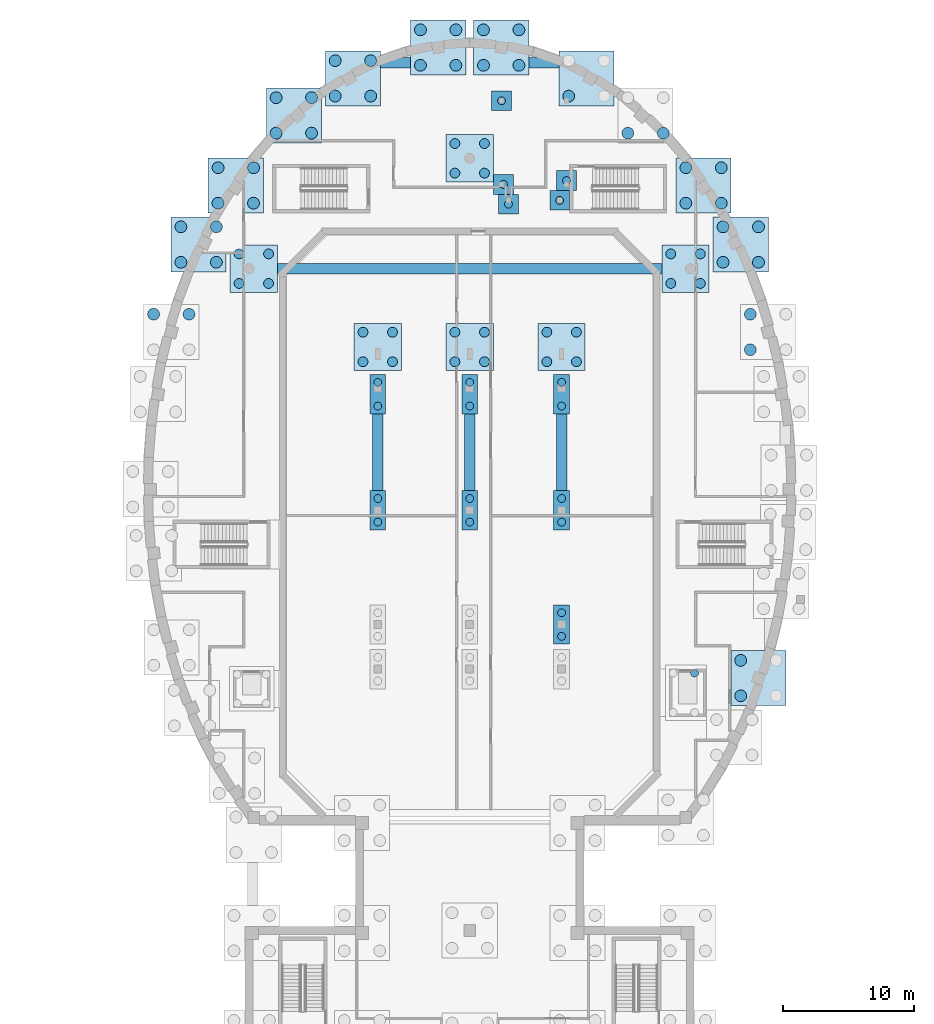
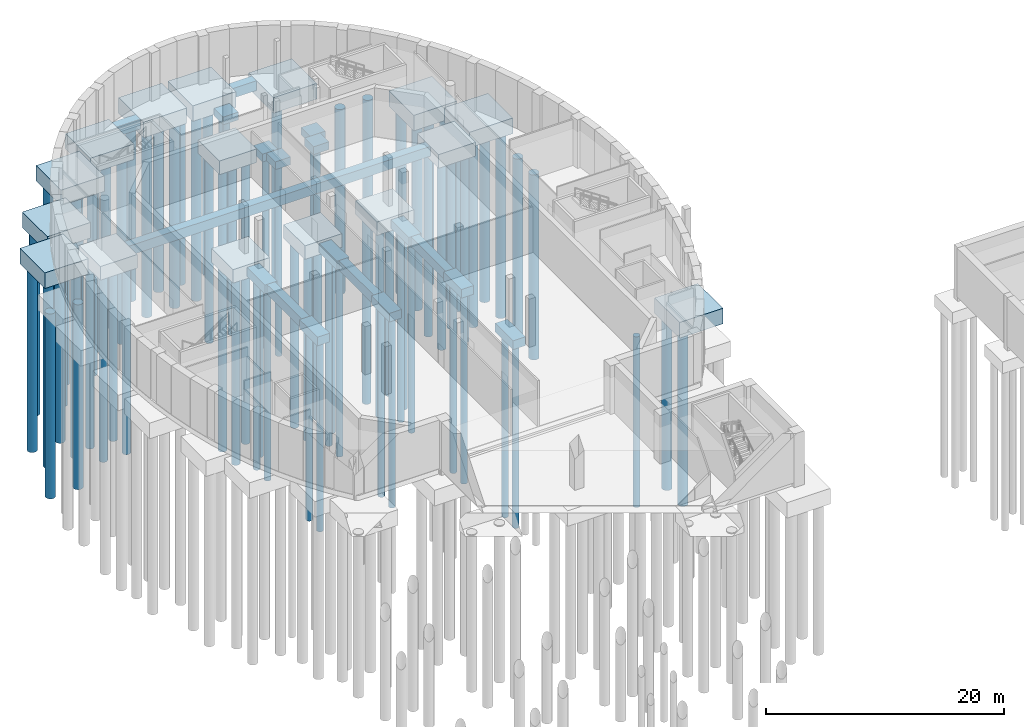
# One storey, part 5 of 33: 85 piles, 34 footings.
"""IFC4 building model written with IfcOpenShell, lengths in metres."""

import ifcopenshell
import ifcopenshell.guid

model = None  # the IFC model being written
_history = None  # IfcOwnerHistory: only IFC2X3 demands one
_inside = {}  # id of a spatial element -> (the spatial element, [elements in it])
_under = {}  # id of a project, library or spatial element -> (it, [spatial elements below it])
_declared = {}  # id of a project -> (the project, [libraries it declares])
_typed = {}  # id of a type object -> (the type object, [elements of that type])
_made_of = {}  # id of a material, layer set ... -> (it, [elements and type objects made of it])


def new_model(schema):
    """Start an empty IFC model of exactly this schema.

    Asked for "IFC4X3", IfcOpenShell would pick the latest addendum, in which some entities
    have other attributes; the version numbers below select the first issue.
    IFC2X3 requires an IfcOwnerHistory on every rooted entity: one is made here for all.
    """
    global model, _history
    if schema == "IFC4X3":
        model = ifcopenshell.file(schema_version=(4, 3, 0, 0))
    else:
        model = ifcopenshell.file(schema=schema)
    _inside.clear()
    _under.clear()
    _declared.clear()
    _typed.clear()
    _made_of.clear()
    _history = None
    if model.schema == "IFC2X3":
        org = make("IfcOrganization", Name="unknown")
        user = make(
            "IfcPersonAndOrganization",
            ThePerson=make("IfcPerson", FamilyName="unknown"),
            TheOrganization=org,
        )
        app = make(
            "IfcApplication",
            ApplicationDeveloper=org,
            Version="unknown",
            ApplicationFullName="unknown",
            ApplicationIdentifier="unknown",
        )
        _history = make(
            "IfcOwnerHistory",
            OwningUser=user,
            OwningApplication=app,
            ChangeAction="ADDED",
            CreationDate=0,
        )
    return model


def make(cls, **values):
    """One entity of the class cls with the attributes given. An attribute that is None is left unset."""
    return model.create_entity(
        cls, **{name: value for name, value in values.items() if value is not None}
    )


def rooted(cls, **values):
    """An entity with a GlobalId (a new one), such as an element, a storey or a relation."""
    return make(cls, GlobalId=ifcopenshell.guid.new(), OwnerHistory=_history, **values)


def si_unit(unit_type, name, prefix=None):
    """IfcSIUnit, for example si_unit("LENGTHUNIT", "METRE", prefix="MILLI")."""
    return make("IfcSIUnit", UnitType=unit_type, Prefix=prefix, Name=name)


def assignment(units):
    """IfcUnitAssignment: the units of a project."""
    return None if units is None else make("IfcUnitAssignment", Units=units)


def point(xyz):
    """IfcCartesianPoint."""
    return None if xyz is None else make("IfcCartesianPoint", Coordinates=xyz)


def direction(xyz):
    """IfcDirection."""
    return None if xyz is None else make("IfcDirection", DirectionRatios=xyz)


def frame(location, z_axis=None, x_axis=None):
    """IfcAxis2Placement3D, a coordinate frame: its origin and axes. An axis left out is left unset."""
    return make(
        "IfcAxis2Placement3D",
        Location=point(location),
        Axis=direction(z_axis),
        RefDirection=direction(x_axis),
    )


def frame_2d(location, x_axis=None):
    """IfcAxis2Placement2D, a coordinate frame in the plane: its origin and x axis."""
    return make(
        "IfcAxis2Placement2D", Location=point(location), RefDirection=direction(x_axis)
    )


def origin():
    """The frame at (0, 0, 0) with its axes left unset."""
    return frame((0.0, 0.0, 0.0))


def origin_2d():
    """The frame at (0, 0) in the plane with its x axis left unset."""
    return frame_2d((0.0, 0.0))


def place(relative_to, where):
    """IfcLocalPlacement: puts the frame where relative to a parent placement (None: the world)."""
    return make(
        "IfcLocalPlacement", PlacementRelTo=relative_to, RelativePlacement=where
    )


def context(
    kind, dimensions, precision=None, world=None, true_north=None, identifier=None
):
    """IfcGeometricRepresentationContext, for example the 3D "Model" context."""
    return make(
        "IfcGeometricRepresentationContext",
        ContextIdentifier=identifier,
        ContextType=kind,
        CoordinateSpaceDimension=dimensions,
        Precision=precision,
        WorldCoordinateSystem=world,
        TrueNorth=true_north,
    )


def subcontext(parent, identifier, kind, view, scale=None):
    """IfcGeometricRepresentationSubContext, for example "Body" below "Model"."""
    return make(
        "IfcGeometricRepresentationSubContext",
        ContextIdentifier=identifier,
        ContextType=kind,
        ParentContext=parent,
        TargetScale=scale,
        TargetView=view,
    )


def project(units=None, contexts=None):
    """IfcProject with its units and contexts."""
    return rooted(
        "IfcProject",
        Name="project",
        RepresentationContexts=contexts,
        UnitsInContext=assignment(units),
    )


def spatial(cls, under=None, at=None, **own):
    """A site, building, storey or space (cls), placed at a placement, below another one or the project."""
    s = rooted(cls, ObjectPlacement=at, **own)
    if under is not None:
        _under.setdefault(under.id(), (under, []))[1].append(s)
    return s


def polyline(points):
    """IfcPolyline through the points."""
    return make("IfcPolyline", Points=[point(p) for p in points])


def profile(cls, at=None, kind="AREA", **sizes):
    """A parametric profile (cls). Its sizes go by their IFC names, for example OverallWidth=200.0."""
    return make(cls, ProfileType=kind, Position=at, **sizes)


def circle(**sizes):
    """IfcCircleProfileDef."""
    return profile("IfcCircleProfileDef", **sizes)


def outline(outer, holes=None, kind="AREA"):
    """IfcArbitraryClosedProfileDef: a profile drawn as a closed curve; with holes, ...WithVoids."""
    if holes is None:
        return make("IfcArbitraryClosedProfileDef", ProfileType=kind, OuterCurve=outer)
    return make(
        "IfcArbitraryProfileDefWithVoids",
        ProfileType=kind,
        OuterCurve=outer,
        InnerCurves=holes,
    )


def extrude(swept, where, along, depth):
    """IfcExtrudedAreaSolid: the profile swept, set in the frame where, extruded along a direction by depth."""
    return make(
        "IfcExtrudedAreaSolid",
        SweptArea=swept,
        Position=where,
        ExtrudedDirection=direction(along),
        Depth=depth,
    )


def shape(context_of_items, identifier, shape_type, items):
    """IfcShapeRepresentation: the items that make up one representation, for example the "Body"."""
    return make(
        "IfcShapeRepresentation",
        ContextOfItems=context_of_items,
        RepresentationIdentifier=identifier,
        RepresentationType=shape_type,
        Items=items,
    )


def material(Name=None, Category=None):
    """IfcMaterial."""
    return make("IfcMaterial", Name=Name, Category=Category)


def material_profile(
    of_material, cross_section, Name=None, Category=None, Priority=None
):
    """IfcMaterialProfile: a cross section and its material."""
    return make(
        "IfcMaterialProfile",
        Name=Name,
        Material=of_material,
        Profile=cross_section,
        Priority=Priority,
        Category=Category,
    )


def profile_set(profiles, Name=None, composite=None):
    """IfcMaterialProfileSet."""
    return make(
        "IfcMaterialProfileSet",
        Name=Name,
        MaterialProfiles=profiles,
        CompositeProfile=composite,
    )


def made_of(thing, what):
    """Note that an element or type object is made of a material, layer set ...; save() writes the relation."""
    if what is not None:
        _made_of.setdefault(what.id(), (what, []))[1].append(thing)
    return thing


def type_object(cls, material=None, **own):
    """A type object (cls), such as IfcWallType, which elements share."""
    return made_of(rooted(cls, **own), material)


def element(
    cls,
    number,
    at=None,
    inside=None,
    cuts=None,
    type_object=None,
    material=None,
    context=None,
    identifier="Body",
    shape_type=None,
    held_by="IfcProductDefinitionShape",
    body=None,
    shapes=None,
    **own,
):
    """One element of the class cls, such as IfcWall. Its Tag is "e" and its number.

    at: its placement. inside: the storey or other place that contains it. cuts: it is an
    opening in that element (IfcRelVoidsElement). A single representation is given by context,
    identifier, shape_type and body (its items); several are given by shapes. held_by: the class
    of the entity that holds the representations. save() writes the other relations.
    """
    e = rooted(cls, Tag="e%d" % number, ObjectPlacement=at, **own)
    if body is not None:
        shapes = [shape(context, identifier, shape_type, body)]
    if shapes is not None:
        e.Representation = make(held_by, Representations=shapes)
    if inside is not None:
        _inside.setdefault(inside.id(), (inside, []))[1].append(e)
    if cuts is not None:
        rooted(
            "IfcRelVoidsElement", RelatingBuildingElement=cuts, RelatedOpeningElement=e
        )
    if type_object is not None:
        _typed.setdefault(type_object.id(), (type_object, []))[1].append(e)
    return made_of(e, material)


def aggregate(whole, parts):
    """IfcRelAggregates: a whole, such as a stair, and the parts it consists of."""
    return rooted("IfcRelAggregates", RelatingObject=whole, RelatedObjects=parts)


def save(model, path):
    """Write the relations noted so far, then the file.

    IfcRelAggregates (storeys below a building ...), IfcRelContainedInSpatialStructure (elements
    in a storey), IfcRelDefinesByType, IfcRelAssociatesMaterial and IfcRelDeclares: one each for
    every whole, place, type object, material and project.
    """
    for whole, parts in _under.values():
        aggregate(whole, parts)
    for where, things in _inside.values():
        rooted(
            "IfcRelContainedInSpatialStructure",
            RelatedElements=things,
            RelatingStructure=where,
        )
    for kind, things in _typed.values():
        rooted("IfcRelDefinesByType", RelatedObjects=things, RelatingType=kind)
    for what, things in _made_of.values():
        rooted("IfcRelAssociatesMaterial", RelatedObjects=things, RelatingMaterial=what)
    for by, libraries in _declared.values():
        rooted("IfcRelDeclares", RelatingContext=by, RelatedDefinitions=libraries)
    model.write(path)


model = new_model("IFC4")

# Units and contexts
model_context = context("Model", 3, precision=1e-05, world=origin(), true_north=direction((0.0, 1.0)))
body_context = subcontext(model_context, "Body", "Model", "MODEL_VIEW")
ifc_project = project(units=[si_unit("LENGTHUNIT", "METRE"), si_unit("AREAUNIT", "SQUARE_METRE"), si_unit("VOLUMEUNIT", "CUBIC_METRE"), si_unit("PLANEANGLEUNIT", "RADIAN"), si_unit("MASSUNIT", "GRAM", prefix="KILO")], contexts=[model_context])

# Site, building, storey
site_placement = place(None, origin())
site = spatial("IfcSite", under=ifc_project, at=site_placement, CompositionType="ELEMENT")
building_placement = place(site_placement, origin())
building = spatial("IfcBuilding", under=site, at=building_placement, Name="Larchfold Concert Hall", CompositionType="ELEMENT")
storey_placement = place(building_placement, frame((0.0, 0.0, -5.0)))
storey = spatial("IfcBuildingStorey", under=building, at=storey_placement, Name="B1", CompositionType="ELEMENT", Elevation=-5.0)

# Piles
ifc_material_1 = material(Name="Concrete C30/37", Category="concrete")
ifc_material_profile_1 = material_profile(ifc_material_1, circle(Radius=0.300048828125, at=origin_2d()))
ifc_profile_set_1 = profile_set([ifc_material_profile_1], Name="Concrete C30/37")
pile_type_1 = type_object("IfcPileType", Name="Bored pile D600", PredefinedType="BORED", material=ifc_profile_set_1)
for number, where, z_axis, x_axis, name in (
    (1, (35.60009765625, 82.10009765625, -1.300048828125), (0.0, 0.0, -1.0), (1.0, 0.0, 0.0), "Pile P0119"),
    (2, (35.60009765625, 83.89990234375, -1.300048828125), (0.0, 0.0, -1.0), (1.0, 0.0, 0.0), "Pile P0120"),
):
    element("IfcPile", number, at=place(storey_placement, frame(where, z_axis=z_axis, x_axis=x_axis)), inside=storey, type_object=pile_type_1, Name=name, PredefinedType="BORED", context=body_context, shape_type="SweptSolid", body=[
        extrude(circle(Radius=0.300048828125, at=origin_2d()), origin(), (0.0, 0.0, 1.0), 19.567626953125),
    ])
for number, where, z_axis, x_axis, name in (
    (3, (35.60009765625, 90.9365234375, -1.300048828125), (0.0, 0.0, -1.0), (1.0, 0.0, 0.0), "Pile P0121"),
    (4, (35.60009765625, 92.736572265625, -1.300048828125), (0.0, 0.0, -1.0), (1.0, 0.0, 0.0), "Pile P0122"),
):
    element("IfcPile", number, at=place(storey_placement, frame(where, z_axis=z_axis, x_axis=x_axis)), inside=storey, type_object=pile_type_1, Name=name, PredefinedType="BORED", context=body_context, shape_type="SweptSolid", body=[
        extrude(circle(Radius=0.300048828125, at=origin_2d()), origin(), (0.0, 0.0, 1.0), 19.699951171875),
    ])
for number, where, z_axis, x_axis, name in (
    (5, (42.60009765625, 82.10009765625, -1.300048828125), (0.0, 0.0, -1.0), (1.0, 0.0, 0.0), "Pile P0155"),
    (6, (42.60009765625, 83.89990234375, -1.300048828125), (0.0, 0.0, -1.0), (1.0, 0.0, 0.0), "Pile P0156"),
):
    element("IfcPile", number, at=place(storey_placement, frame(where, z_axis=z_axis, x_axis=x_axis)), inside=storey, type_object=pile_type_1, Name=name, PredefinedType="BORED", context=body_context, shape_type="SweptSolid", body=[
        extrude(circle(Radius=0.300048828125, at=origin_2d()), origin(), (0.0, 0.0, 1.0), 19.567626953125),
    ])
for number, where, z_axis, x_axis, name in (
    (7, (42.60009765625, 90.9365234375, -1.300048828125), (0.0, 0.0, -1.0), (1.0, 0.0, 0.0), "Pile P0157"),
    (8, (42.60009765625, 92.736572265625, -1.300048828125), (0.0, 0.0, -1.0), (1.0, 0.0, 0.0), "Pile P0158"),
):
    element("IfcPile", number, at=place(storey_placement, frame(where, z_axis=z_axis, x_axis=x_axis)), inside=storey, type_object=pile_type_1, Name=name, PredefinedType="BORED", context=body_context, shape_type="SweptSolid", body=[
        extrude(circle(Radius=0.300048828125, at=origin_2d()), origin(), (0.0, 0.0, 1.0), 19.699951171875),
    ])
for number, where, z_axis, x_axis, name in (
    (9, (49.60009765625, 73.39990234375, -1.300048828125), (0.0, 0.0, -1.0), (1.0, 0.0, 0.0), "Pile P0173"),
    (10, (49.60009765625, 75.199951171875, -1.300048828125), (0.0, 0.0, -1.0), (1.0, 0.0, 0.0), "Pile P0174"),
):
    element("IfcPile", number, at=place(storey_placement, frame(where, z_axis=z_axis, x_axis=x_axis)), inside=storey, type_object=pile_type_1, Name=name, PredefinedType="BORED", context=body_context, shape_type="SweptSolid", body=[
        extrude(circle(Radius=0.300048828125, at=origin_2d()), origin(), (0.0, 0.0, 1.0), 18.84765625),
    ])
for number, where, z_axis, x_axis, name in (
    (11, (49.60009765625, 82.10009765625, -1.300048828125), (0.0, 0.0, -1.0), (1.0, 0.0, 0.0), "Pile P0175"),
    (12, (49.60009765625, 83.89990234375, -1.300048828125), (0.0, 0.0, -1.0), (1.0, 0.0, 0.0), "Pile P0176"),
):
    element("IfcPile", number, at=place(storey_placement, frame(where, z_axis=z_axis, x_axis=x_axis)), inside=storey, type_object=pile_type_1, Name=name, PredefinedType="BORED", context=body_context, shape_type="SweptSolid", body=[
        extrude(circle(Radius=0.300048828125, at=origin_2d()), origin(), (0.0, 0.0, 1.0), 19.567626953125),
    ])
for number, where, z_axis, x_axis, name in (
    (13, (49.60009765625, 90.9365234375, -1.300048828125), (0.0, 0.0, -1.0), (1.0, 0.0, 0.0), "Pile P0177"),
    (14, (49.60009765625, 92.736572265625, -1.300048828125), (0.0, 0.0, -1.0), (1.0, 0.0, 0.0), "Pile P0178"),
):
    element("IfcPile", number, at=place(storey_placement, frame(where, z_axis=z_axis, x_axis=x_axis)), inside=storey, type_object=pile_type_1, Name=name, PredefinedType="BORED", context=body_context, shape_type="SweptSolid", body=[
        extrude(circle(Radius=0.300048828125, at=origin_2d()), origin(), (0.0, 0.0, 1.0), 19.699951171875),
    ])
pile_placement = place(storey_placement, frame((59.72216796875, 70.60009765625, -2.300048828125), z_axis=(0.0, 0.0, -1.0), x_axis=(1.0, 0.0, 0.0)))
element("IfcPile", 15, at=pile_placement, inside=storey, type_object=pile_type_1, Name="Pile P0374", PredefinedType="BORED", context=body_context, shape_type="SweptSolid", body=[
    extrude(circle(Radius=0.300048828125, at=origin_2d()), origin(), (0.0, 0.0, 1.0), 17.54150390625),
])
for number, where, z_axis, x_axis, name in (
    (16, (45.1748046875, 107.8125, -1.199951171875), (0.0, 0.0, -1.0), (1.0, 0.0, 0.0), "Pile P0399"),
    (17, (45.02490234375, 114.1875, -1.199951171875), (0.0, 0.0, -1.0), (1.0, 0.0, 0.0), "Pile P0400"),
    (18, (45.5498046875, 106.300048828125, -1.199951171875), (0.0, 0.0, -1.0), (1.0, 0.0, 0.0), "Pile P0401"),
    (19, (49.4501953125, 106.60009765625, -1.199951171875), (0.0, 0.0, -1.0), (1.0, 0.0, 0.0), "Pile P0402"),
    (20, (49.97509765625, 108.112548828125, -1.199951171875), (0.0, 0.0, -1.0), (1.0, 0.0, 0.0), "Pile P0403"),
):
    element("IfcPile", number, at=place(storey_placement, frame(where, z_axis=z_axis, x_axis=x_axis)), inside=storey, type_object=pile_type_1, Name=name, PredefinedType="BORED", context=body_context, shape_type="SweptSolid", body=[
        extrude(circle(Radius=0.300048828125, at=origin_2d()), origin(), (0.0, 0.0, 1.0), 19.800048828125),
    ])
ifc_material_2 = material(Name="Concrete C30/37", Category="concrete")
ifc_material_profile_2 = material_profile(ifc_material_2, circle(Radius=0.375, at=origin_2d()))
ifc_profile_set_2 = profile_set([ifc_material_profile_2], Name="Concrete C30/37")
pile_type_2 = type_object("IfcPileType", Name="Bored pile D750", PredefinedType="BORED", material=ifc_profile_set_2)
for number, where, z_axis, x_axis, name in (
    (21, (25.03564453125, 100.27490234375, -1.800048828125), (0.0, 0.0, -1.0), (1.0, 0.0, 0.0), "Pile P0069"),
    (22, (25.03564453125, 102.52490234375, -1.800048828125), (0.0, 0.0, -1.0), (1.0, 0.0, 0.0), "Pile P0070"),
    (23, (27.28564453125, 100.27490234375, -1.800048828125), (0.0, 0.0, -1.0), (1.0, 0.0, 0.0), "Pile P0071"),
    (24, (27.28564453125, 102.52490234375, -1.800048828125), (0.0, 0.0, -1.0), (1.0, 0.0, 0.0), "Pile P0072"),
    (25, (34.47509765625, 94.3115234375, -1.800048828125), (0.0, 0.0, -1.0), (1.0, 0.0, 0.0), "Pile P0123"),
    (26, (34.47509765625, 96.5615234375, -1.800048828125), (0.0, 0.0, -1.0), (1.0, 0.0, 0.0), "Pile P0124"),
    (27, (36.72509765625, 94.3115234375, -1.800048828125), (0.0, 0.0, -1.0), (1.0, 0.0, 0.0), "Pile P0125"),
    (28, (36.72509765625, 96.5615234375, -1.800048828125), (0.0, 0.0, -1.0), (1.0, 0.0, 0.0), "Pile P0126"),
    (29, (41.47509765625, 94.3115234375, -1.800048828125), (0.0, 0.0, -1.0), (1.0, 0.0, 0.0), "Pile P0159"),
    (30, (41.47509765625, 96.5615234375, -1.800048828125), (0.0, 0.0, -1.0), (1.0, 0.0, 0.0), "Pile P0160"),
    (31, (43.72509765625, 94.3115234375, -1.800048828125), (0.0, 0.0, -1.0), (1.0, 0.0, 0.0), "Pile P0161"),
    (32, (43.72509765625, 96.5615234375, -1.800048828125), (0.0, 0.0, -1.0), (1.0, 0.0, 0.0), "Pile P0162"),
    (33, (41.47509765625, 108.675048828125, -1.800048828125), (0.0, 0.0, -1.0), (1.0, 0.0, 0.0), "Pile P0163"),
    (34, (41.47509765625, 110.925048828125, -1.800048828125), (0.0, 0.0, -1.0), (1.0, 0.0, 0.0), "Pile P0164"),
    (35, (43.72509765625, 108.675048828125, -1.800048828125), (0.0, 0.0, -1.0), (1.0, 0.0, 0.0), "Pile P0165"),
    (36, (43.72509765625, 110.925048828125, -1.800048828125), (0.0, 0.0, -1.0), (1.0, 0.0, 0.0), "Pile P0166"),
    (37, (48.47509765625, 94.3115234375, -1.800048828125), (0.0, 0.0, -1.0), (1.0, 0.0, 0.0), "Pile P0179"),
    (38, (48.47509765625, 96.5615234375, -1.800048828125), (0.0, 0.0, -1.0), (1.0, 0.0, 0.0), "Pile P0180"),
    (39, (50.72509765625, 94.3115234375, -1.800048828125), (0.0, 0.0, -1.0), (1.0, 0.0, 0.0), "Pile P0181"),
    (40, (50.72509765625, 96.5615234375, -1.800048828125), (0.0, 0.0, -1.0), (1.0, 0.0, 0.0), "Pile P0182"),
    (41, (57.914306640625, 100.27490234375, -1.800048828125), (0.0, 0.0, -1.0), (1.0, 0.0, 0.0), "Pile P0235"),
    (42, (57.914306640625, 102.52490234375, -1.800048828125), (0.0, 0.0, -1.0), (1.0, 0.0, 0.0), "Pile P0236"),
    (43, (60.164306640625, 100.27490234375, -1.800048828125), (0.0, 0.0, -1.0), (1.0, 0.0, 0.0), "Pile P0237"),
    (44, (60.164306640625, 102.52490234375, -1.800048828125), (0.0, 0.0, -1.0), (1.0, 0.0, 0.0), "Pile P0238"),
):
    element("IfcPile", number, at=place(storey_placement, frame(where, z_axis=z_axis, x_axis=x_axis)), inside=storey, type_object=pile_type_2, Name=name, PredefinedType="BORED", context=body_context, shape_type="SweptSolid", body=[
        extrude(circle(Radius=0.375, at=origin_2d()), origin(), (0.0, 0.0, 1.0), 19.199951171875),
    ])
ifc_material_3 = material(Name="Concrete C30/37", Category="concrete")
ifc_material_profile_3 = material_profile(ifc_material_3, circle(Radius=0.449951171875, at=origin_2d()))
ifc_profile_set_3 = profile_set([ifc_material_profile_3], Name="Concrete C30/37")
pile_type_3 = type_object("IfcPileType", Name="Bored pile D900", PredefinedType="BORED", material=ifc_profile_set_3)
for number, where, z_axis, x_axis, name in (
    (45, (18.5283203125, 97.9287109375, -2.0), (0.0, 0.0, -1.0), (1.0, 0.0, 0.0), "Pile P0038"),
    (46, (21.228271484375, 97.9287109375, -2.0), (0.0, 0.0, -1.0), (1.0, 0.0, 0.0), "Pile P0040"),
    (47, (20.610595703125, 101.88525390625, -2.0), (0.0, 0.0, -1.0), (1.0, 0.0, 0.0), "Pile P0049"),
    (48, (20.610595703125, 104.585205078125, -2.0), (0.0, 0.0, -1.0), (1.0, 0.0, 0.0), "Pile P0050"),
    (49, (23.310546875, 101.88525390625, -2.0), (0.0, 0.0, -1.0), (1.0, 0.0, 0.0), "Pile P0051"),
    (50, (23.310546875, 104.585205078125, -2.0), (0.0, 0.0, -1.0), (1.0, 0.0, 0.0), "Pile P0052"),
    (51, (23.4384765625, 106.38525390625, -2.0), (0.0, 0.0, -1.0), (1.0, 0.0, 0.0), "Pile P0053"),
    (52, (23.4384765625, 109.085205078125, -2.0), (0.0, 0.0, -1.0), (1.0, 0.0, 0.0), "Pile P0054"),
    (53, (26.138427734375, 106.38525390625, -2.0), (0.0, 0.0, -1.0), (1.0, 0.0, 0.0), "Pile P0055"),
    (54, (26.138427734375, 109.085205078125, -2.0), (0.0, 0.0, -1.0), (1.0, 0.0, 0.0), "Pile P0056"),
    (55, (27.858642578125, 111.719482421875, -2.0), (0.0, 0.0, -1.0), (1.0, 0.0, 0.0), "Pile P0085"),
    (56, (27.858642578125, 114.419677734375, -2.0), (0.0, 0.0, -1.0), (1.0, 0.0, 0.0), "Pile P0086"),
    (57, (30.55859375, 111.719482421875, -2.0), (0.0, 0.0, -1.0), (1.0, 0.0, 0.0), "Pile P0087"),
    (58, (30.55859375, 114.419677734375, -2.0), (0.0, 0.0, -1.0), (1.0, 0.0, 0.0), "Pile P0088"),
    (59, (32.358642578125, 114.538818359375, -2.0), (0.0, 0.0, -1.0), (1.0, 0.0, 0.0), "Pile P0089"),
    (60, (32.358642578125, 117.23876953125, -2.0), (0.0, 0.0, -1.0), (1.0, 0.0, 0.0), "Pile P0090"),
    (61, (35.05859375, 114.538818359375, -2.0), (0.0, 0.0, -1.0), (1.0, 0.0, 0.0), "Pile P0091"),
    (62, (35.05859375, 117.23876953125, -2.0), (0.0, 0.0, -1.0), (1.0, 0.0, 0.0), "Pile P0092"),
    (63, (38.850830078125, 116.884765625, -2.0), (0.0, 0.0, -1.0), (1.0, 0.0, 0.0), "Pile P0127"),
    (64, (38.850830078125, 119.584716796875, -2.0), (0.0, 0.0, -1.0), (1.0, 0.0, 0.0), "Pile P0128"),
    (65, (41.551025390625, 116.884765625, -2.0), (0.0, 0.0, -1.0), (1.0, 0.0, 0.0), "Pile P0129"),
    (66, (41.551025390625, 119.584716796875, -2.0), (0.0, 0.0, -1.0), (1.0, 0.0, 0.0), "Pile P0130"),
    (67, (43.649169921875, 116.884765625, -2.0), (0.0, 0.0, -1.0), (1.0, 0.0, 0.0), "Pile P0167"),
    (68, (43.649169921875, 119.584716796875, -2.0), (0.0, 0.0, -1.0), (1.0, 0.0, 0.0), "Pile P0168"),
    (69, (46.349365234375, 116.884765625, -2.0), (0.0, 0.0, -1.0), (1.0, 0.0, 0.0), "Pile P0169"),
    (70, (46.349365234375, 119.584716796875, -2.0), (0.0, 0.0, -1.0), (1.0, 0.0, 0.0), "Pile P0170"),
    (71, (50.1416015625, 114.538818359375, -2.0), (0.0, 0.0, -1.0), (1.0, 0.0, 0.0), "Pile P0207"),
    (72, (54.6416015625, 111.719482421875, -2.0), (0.0, 0.0, -1.0), (1.0, 0.0, 0.0), "Pile P0211"),
    (73, (57.341552734375, 111.719482421875, -2.0), (0.0, 0.0, -1.0), (1.0, 0.0, 0.0), "Pile P0213"),
    (74, (59.061767578125, 106.38525390625, -2.0), (0.0, 0.0, -1.0), (1.0, 0.0, 0.0), "Pile P0239"),
    (75, (59.061767578125, 109.085205078125, -2.0), (0.0, 0.0, -1.0), (1.0, 0.0, 0.0), "Pile P0240"),
    (76, (61.76171875, 106.38525390625, -2.0), (0.0, 0.0, -1.0), (1.0, 0.0, 0.0), "Pile P0241"),
    (77, (61.76171875, 109.085205078125, -2.0), (0.0, 0.0, -1.0), (1.0, 0.0, 0.0), "Pile P0242"),
    (78, (61.889404296875, 101.88525390625, -2.0), (0.0, 0.0, -1.0), (1.0, 0.0, 0.0), "Pile P0247"),
    (79, (61.889404296875, 104.585205078125, -2.0), (0.0, 0.0, -1.0), (1.0, 0.0, 0.0), "Pile P0248"),
    (80, (64.58935546875, 101.88525390625, -2.0), (0.0, 0.0, -1.0), (1.0, 0.0, 0.0), "Pile P0249"),
    (81, (64.58935546875, 104.585205078125, -2.0), (0.0, 0.0, -1.0), (1.0, 0.0, 0.0), "Pile P0250"),
):
    element("IfcPile", number, at=place(storey_placement, frame(where, z_axis=z_axis, x_axis=x_axis)), inside=storey, type_object=pile_type_3, Name=name, PredefinedType="BORED", context=body_context, shape_type="SweptSolid", body=[
        extrude(circle(Radius=0.449951171875, at=origin_2d()), origin(), (0.0, 0.0, 1.0), 19.0),
    ])
for number, where, z_axis, x_axis, name in (
    (82, (63.239013671875, 68.8681640625, -2.0), (0.0, 0.0, -1.0), (1.0, 0.0, 0.0), "Pile P0251"),
    (83, (63.239013671875, 71.568115234375, -2.0), (0.0, 0.0, -1.0), (1.0, 0.0, 0.0), "Pile P0252"),
):
    element("IfcPile", number, at=place(storey_placement, frame(where, z_axis=z_axis, x_axis=x_axis)), inside=storey, type_object=pile_type_3, Name=name, PredefinedType="BORED", context=body_context, shape_type="SweptSolid", body=[
        extrude(circle(Radius=0.449951171875, at=origin_2d()), origin(), (0.0, 0.0, 1.0), 17.81005859375),
    ])
for number, where, z_axis, x_axis, name in (
    (84, (63.971923828125, 95.228759765625, -2.0), (0.0, 0.0, -1.0), (1.0, 0.0, 0.0), "Pile P0255"),
    (85, (63.971923828125, 97.9287109375, -2.0), (0.0, 0.0, -1.0), (1.0, 0.0, 0.0), "Pile P0256"),
):
    element("IfcPile", number, at=place(storey_placement, frame(where, z_axis=z_axis, x_axis=x_axis)), inside=storey, type_object=pile_type_3, Name=name, PredefinedType="BORED", context=body_context, shape_type="SweptSolid", body=[
        extrude(circle(Radius=0.449951171875, at=origin_2d()), origin(), (0.0, 0.0, 1.0), 19.0),
    ])

# Footings
ifc_material_4 = material(Name="Concrete C30/37", Category="concrete")
footing_type_1 = type_object("IfcFootingType", Name="Pile cap 1200x3000x900", PredefinedType="PILE_CAP", material=ifc_material_4)
footing_1_placement = place(storey_placement, frame((0.0, 0.0, -1.39990234375)))
element("IfcFooting", 86, at=footing_1_placement, inside=storey, type_object=footing_type_1, Name="Pile cap PC0041", PredefinedType="PILE_CAP", context=body_context, shape_type="SweptSolid", body=[
    extrude(outline(polyline([(36.199951171875, 81.5), (36.199951171875, 84.5), (35.0, 84.5), (35.0, 81.5), (36.199951171875, 81.5)])), origin(), (0.0, 0.0, 1.0), 0.89990234375),
])
footing_2_placement = place(storey_placement, frame((0.0, 0.0, -1.39990234375)))
element("IfcFooting", 87, at=footing_2_placement, inside=storey, type_object=footing_type_1, Name="Pile cap PC0042", PredefinedType="PILE_CAP", context=body_context, shape_type="SweptSolid", body=[
    extrude(outline(polyline([(36.199951171875, 90.336669921875), (36.199951171875, 93.336669921875), (35.0, 93.336669921875), (35.0, 90.336669921875), (36.199951171875, 90.336669921875)])), origin(), (0.0, 0.0, 1.0), 0.89990234375),
])
footing_3_placement = place(storey_placement, frame((0.0, 0.0, -1.39990234375)))
element("IfcFooting", 88, at=footing_3_placement, inside=storey, type_object=footing_type_1, Name="Pile cap PC0054", PredefinedType="PILE_CAP", context=body_context, shape_type="SweptSolid", body=[
    extrude(outline(polyline([(43.199951171875, 81.5), (43.199951171875, 84.5), (42.0, 84.5), (42.0, 81.5), (43.199951171875, 81.5)])), origin(), (0.0, 0.0, 1.0), 0.89990234375),
])
footing_4_placement = place(storey_placement, frame((0.0, 0.0, -1.39990234375)))
element("IfcFooting", 89, at=footing_4_placement, inside=storey, type_object=footing_type_1, Name="Pile cap PC0055", PredefinedType="PILE_CAP", context=body_context, shape_type="SweptSolid", body=[
    extrude(outline(polyline([(43.199951171875, 90.336669921875), (43.199951171875, 93.336669921875), (42.0, 93.336669921875), (42.0, 90.336669921875), (43.199951171875, 90.336669921875)])), origin(), (0.0, 0.0, 1.0), 0.89990234375),
])
footing_5_placement = place(storey_placement, frame((0.0, 0.0, -1.39990234375)))
element("IfcFooting", 90, at=footing_5_placement, inside=storey, type_object=footing_type_1, Name="Pile cap PC0060", PredefinedType="PILE_CAP", context=body_context, shape_type="SweptSolid", body=[
    extrude(outline(polyline([(50.199951171875, 72.800048828125), (50.199951171875, 75.800048828125), (49.0, 75.800048828125), (49.0, 72.800048828125), (50.199951171875, 72.800048828125)])), origin(), (0.0, 0.0, 1.0), 0.89990234375),
])
footing_6_placement = place(storey_placement, frame((0.0, 0.0, -1.39990234375)))
element("IfcFooting", 91, at=footing_6_placement, inside=storey, type_object=footing_type_1, Name="Pile cap PC0061", PredefinedType="PILE_CAP", context=body_context, shape_type="SweptSolid", body=[
    extrude(outline(polyline([(50.199951171875, 81.5), (50.199951171875, 84.5), (49.0, 84.5), (49.0, 81.5), (50.199951171875, 81.5)])), origin(), (0.0, 0.0, 1.0), 0.89990234375),
])
footing_7_placement = place(storey_placement, frame((0.0, 0.0, -1.39990234375)))
element("IfcFooting", 92, at=footing_7_placement, inside=storey, type_object=footing_type_1, Name="Pile cap PC0062", PredefinedType="PILE_CAP", context=body_context, shape_type="SweptSolid", body=[
    extrude(outline(polyline([(50.199951171875, 90.336669921875), (50.199951171875, 93.336669921875), (49.0, 93.336669921875), (49.0, 90.336669921875), (50.199951171875, 90.336669921875)])), origin(), (0.0, 0.0, 1.0), 0.89990234375),
])
ifc_material_5 = material(Name="Concrete C30/37", Category="concrete")
footing_type_2 = type_object("IfcFootingType", Name="Pile cap 1500x1500x800", PredefinedType="PILE_CAP", material=ifc_material_5)
footing_8_placement = place(storey_placement, frame((0.0, 0.0, -1.300048828125)))
element("IfcFooting", 93, at=footing_8_placement, inside=storey, type_object=footing_type_2, Name="Pile cap PC0122", PredefinedType="PILE_CAP", context=body_context, shape_type="SweptSolid", body=[
    extrude(outline(polyline([(45.9248046875, 107.0625), (45.9248046875, 108.5625), (44.4248046875, 108.5625), (44.4248046875, 107.0625), (45.9248046875, 107.0625)])), origin(), (0.0, 0.0, 1.0), 0.800048828125),
])
footing_9_placement = place(storey_placement, frame((0.0, 0.0, -1.300048828125)))
element("IfcFooting", 94, at=footing_9_placement, inside=storey, type_object=footing_type_2, Name="Pile cap PC0123", PredefinedType="PILE_CAP", context=body_context, shape_type="SweptSolid", body=[
    extrude(outline(polyline([(45.77490234375, 113.4375), (45.77490234375, 114.9375), (44.27490234375, 114.9375), (44.27490234375, 113.4375), (45.77490234375, 113.4375)])), origin(), (0.0, 0.0, 1.0), 0.800048828125),
])
footing_10_placement = place(storey_placement, frame((0.0, 0.0, -1.300048828125)))
element("IfcFooting", 95, at=footing_10_placement, inside=storey, type_object=footing_type_2, Name="Pile cap PC0124", PredefinedType="PILE_CAP", context=body_context, shape_type="SweptSolid", body=[
    extrude(outline(polyline([(46.2998046875, 105.550048828125), (46.2998046875, 107.050048828125), (44.7998046875, 107.050048828125), (44.7998046875, 105.550048828125), (46.2998046875, 105.550048828125)])), origin(), (0.0, 0.0, 1.0), 0.800048828125),
])
footing_11_placement = place(storey_placement, frame((0.0, 0.0, -1.300048828125)))
element("IfcFooting", 96, at=footing_11_placement, inside=storey, type_object=footing_type_2, Name="Pile cap PC0125", PredefinedType="PILE_CAP", context=body_context, shape_type="SweptSolid", body=[
    extrude(outline(polyline([(50.2001953125, 105.85009765625), (50.2001953125, 107.35009765625), (48.7001953125, 107.35009765625), (48.7001953125, 105.85009765625), (50.2001953125, 105.85009765625)])), origin(), (0.0, 0.0, 1.0), 0.800048828125),
])
footing_12_placement = place(storey_placement, frame((0.0, 0.0, -1.300048828125)))
element("IfcFooting", 97, at=footing_12_placement, inside=storey, type_object=footing_type_2, Name="Pile cap PC0126", PredefinedType="PILE_CAP", context=body_context, shape_type="SweptSolid", body=[
    extrude(outline(polyline([(50.72509765625, 107.362548828125), (50.72509765625, 108.862548828125), (49.22509765625, 108.862548828125), (49.22509765625, 107.362548828125), (50.72509765625, 107.362548828125)])), origin(), (0.0, 0.0, 1.0), 0.800048828125),
])
ifc_material_6 = material(Name="Concrete C30/37", Category="concrete")
footing_type_3 = type_object("IfcFootingType", Name="Pile cap 3600x3600x1400", PredefinedType="PILE_CAP", material=ifc_material_6)
footing_13_placement = place(storey_placement, frame((0.0, 0.0, -1.89990234375)))
element("IfcFooting", 98, at=footing_13_placement, inside=storey, type_object=footing_type_3, Name="Pile cap PC0026", PredefinedType="PILE_CAP", context=body_context, shape_type="SweptSolid", body=[
    extrude(outline(polyline([(27.960693359375, 99.60009765625), (27.960693359375, 103.199951171875), (24.360595703125, 103.199951171875), (24.360595703125, 99.60009765625), (27.960693359375, 99.60009765625)])), origin(), (0.0, 0.0, 1.0), 1.39990234375),
])
footing_14_placement = place(storey_placement, frame((0.0, 0.0, -1.89990234375)))
element("IfcFooting", 99, at=footing_14_placement, inside=storey, type_object=footing_type_3, Name="Pile cap PC0043", PredefinedType="PILE_CAP", context=body_context, shape_type="SweptSolid", body=[
    extrude(outline(polyline([(37.39990234375, 93.636474609375), (37.39990234375, 97.236572265625), (33.800048828125, 97.236572265625), (33.800048828125, 93.636474609375), (37.39990234375, 93.636474609375)])), origin(), (0.0, 0.0, 1.0), 1.39990234375),
])
footing_15_placement = place(storey_placement, frame((0.0, 0.0, -1.89990234375)))
element("IfcFooting", 100, at=footing_15_placement, inside=storey, type_object=footing_type_3, Name="Pile cap PC0056", PredefinedType="PILE_CAP", context=body_context, shape_type="SweptSolid", body=[
    extrude(outline(polyline([(44.39990234375, 93.636474609375), (44.39990234375, 97.236572265625), (40.800048828125, 97.236572265625), (40.800048828125, 93.636474609375), (44.39990234375, 93.636474609375)])), origin(), (0.0, 0.0, 1.0), 1.39990234375),
])
footing_16_placement = place(storey_placement, frame((0.0, 0.0, -1.89990234375)))
element("IfcFooting", 101, at=footing_16_placement, inside=storey, type_object=footing_type_3, Name="Pile cap PC0057", PredefinedType="PILE_CAP", context=body_context, shape_type="SweptSolid", body=[
    extrude(outline(polyline([(44.39990234375, 108.0), (44.39990234375, 111.60009765625), (40.800048828125, 111.60009765625), (40.800048828125, 108.0), (44.39990234375, 108.0)])), origin(), (0.0, 0.0, 1.0), 1.39990234375),
])
footing_17_placement = place(storey_placement, frame((0.0, 0.0, -1.89990234375)))
element("IfcFooting", 102, at=footing_17_placement, inside=storey, type_object=footing_type_3, Name="Pile cap PC0063", PredefinedType="PILE_CAP", context=body_context, shape_type="SweptSolid", body=[
    extrude(outline(polyline([(51.39990234375, 93.636474609375), (51.39990234375, 97.236572265625), (47.800048828125, 97.236572265625), (47.800048828125, 93.636474609375), (51.39990234375, 93.636474609375)])), origin(), (0.0, 0.0, 1.0), 1.39990234375),
])
footing_18_placement = place(storey_placement, frame((0.0, 0.0, -1.89990234375)))
element("IfcFooting", 103, at=footing_18_placement, inside=storey, type_object=footing_type_3, Name="Pile cap PC0081", PredefinedType="PILE_CAP", context=body_context, shape_type="SweptSolid", body=[
    extrude(outline(polyline([(60.83935546875, 99.60009765625), (60.83935546875, 103.199951171875), (57.239501953125, 103.199951171875), (57.239501953125, 99.60009765625), (60.83935546875, 99.60009765625)])), origin(), (0.0, 0.0, 1.0), 1.39990234375),
])
ifc_material_7 = material(Name="Concrete C30/37", Category="concrete")
footing_type_4 = type_object("IfcFootingType", Name="Pile cap 4200x4200x1600", PredefinedType="PILE_CAP", material=ifc_material_7)
footing_19_placement = place(storey_placement, frame((0.0, 0.0, -2.10009765625)))
element("IfcFooting", 104, at=footing_19_placement, inside=storey, type_object=footing_type_4, Name="Pile cap PC0019", PredefinedType="PILE_CAP", context=body_context, shape_type="SweptSolid", body=[
    extrude(outline(polyline([(24.060546875, 101.13525390625), (24.060546875, 105.335205078125), (19.860595703125, 105.335205078125), (19.860595703125, 101.13525390625), (24.060546875, 101.13525390625)])), origin(), (0.0, 0.0, 1.0), 1.60009765625),
])
footing_20_placement = place(storey_placement, frame((0.0, 0.0, -2.10009765625)))
element("IfcFooting", 105, at=footing_20_placement, inside=storey, type_object=footing_type_4, Name="Pile cap PC0020", PredefinedType="PILE_CAP", context=body_context, shape_type="SweptSolid", body=[
    extrude(outline(polyline([(26.888427734375, 105.63525390625), (26.888427734375, 109.835205078125), (22.6884765625, 109.835205078125), (22.6884765625, 105.63525390625), (26.888427734375, 105.63525390625)])), origin(), (0.0, 0.0, 1.0), 1.60009765625),
])
footing_21_placement = place(storey_placement, frame((0.0, 0.0, -2.10009765625)))
element("IfcFooting", 106, at=footing_21_placement, inside=storey, type_object=footing_type_4, Name="Pile cap PC0030", PredefinedType="PILE_CAP", context=body_context, shape_type="SweptSolid", body=[
    extrude(outline(polyline([(31.30859375, 110.969482421875), (31.30859375, 115.169677734375), (27.108642578125, 115.169677734375), (27.108642578125, 110.969482421875), (31.30859375, 110.969482421875)])), origin(), (0.0, 0.0, 1.0), 1.60009765625),
])
footing_22_placement = place(storey_placement, frame((0.0, 0.0, -2.10009765625)))
element("IfcFooting", 107, at=footing_22_placement, inside=storey, type_object=footing_type_4, Name="Pile cap PC0031", PredefinedType="PILE_CAP", context=body_context, shape_type="SweptSolid", body=[
    extrude(outline(polyline([(35.80859375, 113.788818359375), (35.80859375, 117.98876953125), (31.608642578125, 117.98876953125), (31.608642578125, 113.788818359375), (35.80859375, 113.788818359375)])), origin(), (0.0, 0.0, 1.0), 1.60009765625),
])
footing_23_placement = place(storey_placement, frame((0.0, 0.0, -2.10009765625)))
element("IfcFooting", 108, at=footing_23_placement, inside=storey, type_object=footing_type_4, Name="Pile cap PC0044", PredefinedType="PILE_CAP", context=body_context, shape_type="SweptSolid", body=[
    extrude(outline(polyline([(42.301025390625, 116.134765625), (42.301025390625, 120.334716796875), (38.100830078125, 120.334716796875), (38.100830078125, 116.134765625), (42.301025390625, 116.134765625)])), origin(), (0.0, 0.0, 1.0), 1.60009765625),
])
footing_24_placement = place(storey_placement, frame((0.0, 0.0, -2.10009765625)))
element("IfcFooting", 109, at=footing_24_placement, inside=storey, type_object=footing_type_4, Name="Pile cap PC0058", PredefinedType="PILE_CAP", context=body_context, shape_type="SweptSolid", body=[
    extrude(outline(polyline([(47.099365234375, 116.134765625), (47.099365234375, 120.334716796875), (42.899169921875, 120.334716796875), (42.899169921875, 116.134765625), (47.099365234375, 116.134765625)])), origin(), (0.0, 0.0, 1.0), 1.60009765625),
])
footing_25_placement = place(storey_placement, frame((0.0, 0.0, -2.10009765625)))
element("IfcFooting", 110, at=footing_25_placement, inside=storey, type_object=footing_type_4, Name="Pile cap PC0072", PredefinedType="PILE_CAP", context=body_context, shape_type="SweptSolid", body=[
    extrude(outline(polyline([(53.591552734375, 113.788818359375), (53.591552734375, 117.98876953125), (49.3916015625, 117.98876953125), (49.3916015625, 113.788818359375), (53.591552734375, 113.788818359375)])), origin(), (0.0, 0.0, 1.0), 1.60009765625),
])
footing_26_placement = place(storey_placement, frame((0.0, 0.0, -2.10009765625)))
element("IfcFooting", 111, at=footing_26_placement, inside=storey, type_object=footing_type_4, Name="Pile cap PC0082", PredefinedType="PILE_CAP", context=body_context, shape_type="SweptSolid", body=[
    extrude(outline(polyline([(62.51171875, 105.63525390625), (62.51171875, 109.835205078125), (58.311767578125, 109.835205078125), (58.311767578125, 105.63525390625), (62.51171875, 105.63525390625)])), origin(), (0.0, 0.0, 1.0), 1.60009765625),
])
footing_27_placement = place(storey_placement, frame((0.0, 0.0, -2.10009765625)))
element("IfcFooting", 112, at=footing_27_placement, inside=storey, type_object=footing_type_4, Name="Pile cap PC0084", PredefinedType="PILE_CAP", context=body_context, shape_type="SweptSolid", body=[
    extrude(outline(polyline([(65.33935546875, 101.13525390625), (65.33935546875, 105.335205078125), (61.139404296875, 105.335205078125), (61.139404296875, 101.13525390625), (65.33935546875, 101.13525390625)])), origin(), (0.0, 0.0, 1.0), 1.60009765625),
])
footing_28_placement = place(storey_placement, frame((0.0, 0.0, -2.10009765625)))
element("IfcFooting", 113, at=footing_28_placement, inside=storey, type_object=footing_type_4, Name="Pile cap PC0085", PredefinedType="PILE_CAP", context=body_context, shape_type="SweptSolid", body=[
    extrude(outline(polyline([(66.689208984375, 68.1181640625), (66.689208984375, 72.318115234375), (62.489013671875, 72.318115234375), (62.489013671875, 68.1181640625), (66.689208984375, 68.1181640625)])), origin(), (0.0, 0.0, 1.0), 1.60009765625),
])
ifc_material_8 = material(Name="Concrete C30/37", Category="concrete")
footing_type_5 = type_object("IfcFootingType", Name="Strip footing 800x1000", PredefinedType="STRIP_FOOTING", material=ifc_material_8)
footing_29_placement = place(storey_placement, frame((0.0, 0.0, -1.5)))
element("IfcFooting", 114, at=footing_29_placement, inside=storey, type_object=footing_type_5, Name="Ground beam GB0005", PredefinedType="STRIP_FOOTING", context=body_context, shape_type="SweptSolid", body=[
    extrude(outline(polyline([(27.960693359375, 101.800048828125), (27.960693359375, 101.0), (57.239501953125, 101.0), (57.239501953125, 101.800048828125), (27.960693359375, 101.800048828125)])), origin(), (0.0, 0.0, 1.0), 1.0),
])
footing_30_placement = place(storey_placement, frame((0.0, 0.0, -1.5)))
element("IfcFooting", 115, at=footing_30_placement, inside=storey, type_object=footing_type_5, Name="Ground beam GB0007", PredefinedType="STRIP_FOOTING", context=body_context, shape_type="SweptSolid", body=[
    extrude(outline(polyline([(35.80859375, 117.4619140625), (35.80859375, 116.661865234375), (38.100830078125, 116.661865234375), (38.100830078125, 117.4619140625), (35.80859375, 117.4619140625)])), origin(), (0.0, 0.0, 1.0), 1.0),
])
footing_31_placement = place(storey_placement, frame((0.0, 0.0, -1.5)))
element("IfcFooting", 116, at=footing_31_placement, inside=storey, type_object=footing_type_5, Name="Ground beam GB0009", PredefinedType="STRIP_FOOTING", context=body_context, shape_type="SweptSolid", body=[
    extrude(outline(polyline([(35.199951171875, 84.5), (36.0, 84.5), (36.0, 90.336669921875), (35.199951171875, 90.336669921875), (35.199951171875, 84.5)])), origin(), (0.0, 0.0, 1.0), 1.0),
])
footing_32_placement = place(storey_placement, frame((0.0, 0.0, -1.5)))
element("IfcFooting", 117, at=footing_32_placement, inside=storey, type_object=footing_type_5, Name="Ground beam GB0011", PredefinedType="STRIP_FOOTING", context=body_context, shape_type="SweptSolid", body=[
    extrude(outline(polyline([(42.199951171875, 84.5), (43.0, 84.5), (43.0, 90.336669921875), (42.199951171875, 90.336669921875), (42.199951171875, 84.5)])), origin(), (0.0, 0.0, 1.0), 1.0),
])
footing_33_placement = place(storey_placement, frame((0.0, 0.0, -1.5)))
element("IfcFooting", 118, at=footing_33_placement, inside=storey, type_object=footing_type_5, Name="Ground beam GB0012", PredefinedType="STRIP_FOOTING", context=body_context, shape_type="SweptSolid", body=[
    extrude(outline(polyline([(49.199951171875, 84.5), (50.0, 84.5), (50.0, 90.336669921875), (49.199951171875, 90.336669921875), (49.199951171875, 84.5)])), origin(), (0.0, 0.0, 1.0), 1.0),
])
footing_34_placement = place(storey_placement, frame((0.0, 0.0, -1.5)))
element("IfcFooting", 119, at=footing_34_placement, inside=storey, type_object=footing_type_5, Name="Ground beam GB0014", PredefinedType="STRIP_FOOTING", context=body_context, shape_type="SweptSolid", body=[
    extrude(outline(polyline([(47.099365234375, 117.4619140625), (47.099365234375, 116.661865234375), (49.3916015625, 116.661865234375), (49.3916015625, 117.4619140625), (47.099365234375, 117.4619140625)])), origin(), (0.0, 0.0, 1.0), 1.0),
])

save(model, "model.ifc")
